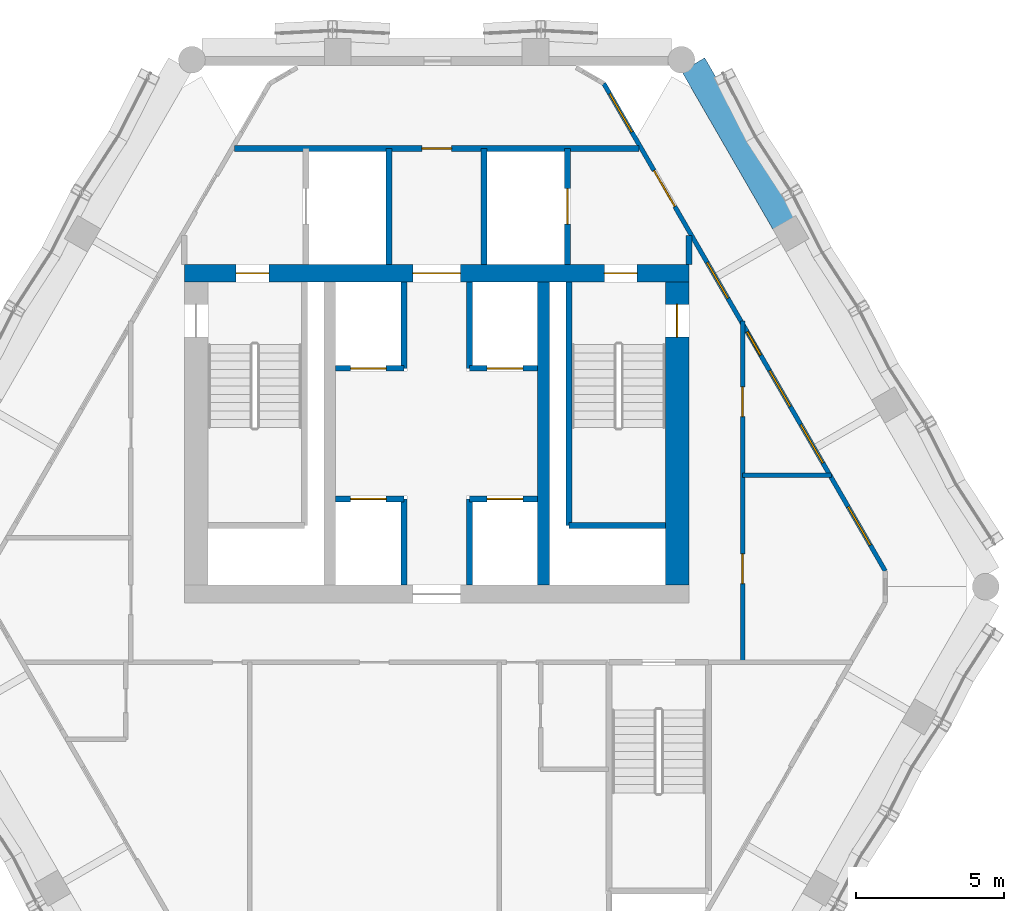
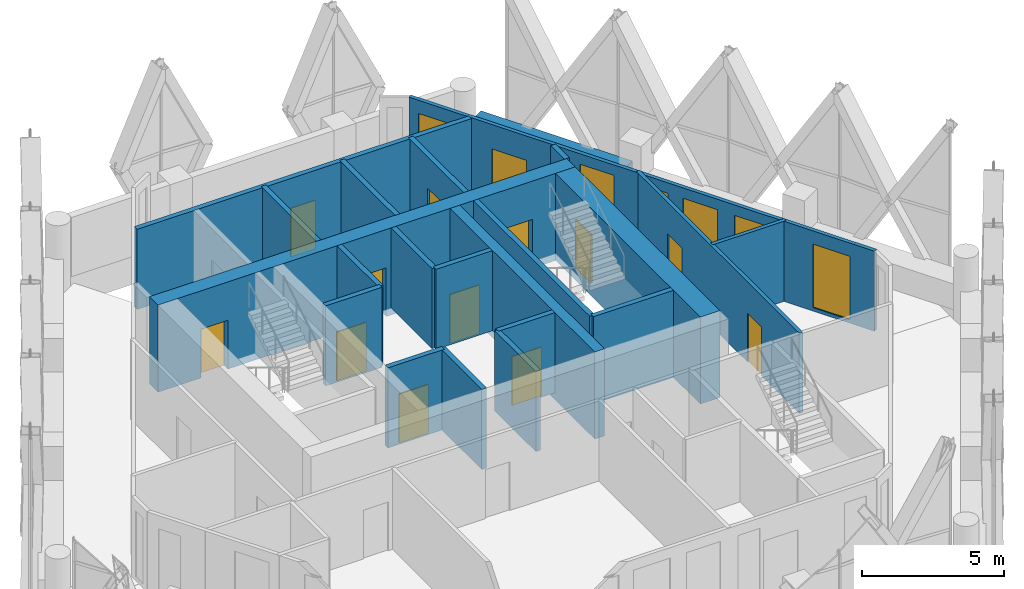
# One storey, part 20 of 27: 22 walls, 13 doors, 6 windows, 19 openings.
"""IFC4 building model written with IfcOpenShell, lengths in metres."""

from ifc_helpers import new_model, si_unit, direction, frame, frame_2d, origin, place, context, subcontext, project, spatial, rectangle, extrude, material, layer, layer_set, type_object, element, fill, save


model = new_model("IFC4")

# Units and contexts
model_context = context("Model", 3, precision=1e-05, world=origin(), true_north=direction((0.0, 1.0)))
body_context = subcontext(model_context, "Body", "Model", "MODEL_VIEW")
ifc_project = project(units=[si_unit("LENGTHUNIT", "METRE"), si_unit("AREAUNIT", "SQUARE_METRE"), si_unit("VOLUMEUNIT", "CUBIC_METRE"), si_unit("PLANEANGLEUNIT", "RADIAN"), si_unit("MASSUNIT", "GRAM", prefix="KILO")], contexts=[model_context])

# Site, building, storey
site_placement = place(None, origin())
site = spatial("IfcSite", under=ifc_project, at=site_placement, CompositionType="ELEMENT")
building_placement = place(site_placement, origin())
building = spatial("IfcBuilding", under=site, at=building_placement, Name="Ostrander Bayou Hotel Tower", CompositionType="ELEMENT")
storey_placement = place(building_placement, frame((0.0, 0.0, 267.5)))
storey = spatial("IfcBuildingStorey", under=building, at=storey_placement, Name="L66", CompositionType="ELEMENT", Elevation=267.5)

# Wall, openings, doors
ifc_material_1 = material(Name="Concrete f'c 60 MPa", Category="concrete")
ifc_layer_1 = layer(ifc_material_1, 0.60009765625)
ifc_layer_set_1 = layer_set([ifc_layer_1], Name="CW10 core wall 600 mm f'c 60 MPa")
wall_type_1 = type_object("IfcWallType", Name="CW10 core wall 600 mm f'c 60 MPa", PredefinedType="SHEAR", material=ifc_layer_set_1)
wall_1_placement = place(storey_placement, frame((-8.5, 9.39990234375, -0.300048828125), z_axis=(0.0, 0.0, 1.0), x_axis=(1.0, 0.0, 0.0)))
wall_1 = element("IfcWall", 1, at=wall_1_placement, inside=storey, type_object=wall_type_1, Name="CW10 L66 N", PredefinedType="SHEAR", context=body_context, shape_type="SweptSolid", body=[
    extrude(rectangle(XDim=17.0, YDim=0.60009765625, at=frame_2d((8.5, 0.0))), origin(), (0.0, 0.0, 1.0), 3.75),
])
opening_1_placement = place(wall_1_placement, frame((7.699951171875, 0.0, 0.0)))
opening_1 = element("IfcOpeningElement", 2, at=opening_1_placement, cuts=wall_1, Name="Opening T66-006", PredefinedType="OPENING", context=body_context, shape_type="SweptSolid", body=[
    extrude(rectangle(XDim=1.60009765625, YDim=2.10009765625, at=frame_2d((0.800048828125, 1.050048828125))), frame((0.0, 0.300048828125, 0.0), z_axis=(0.0, -1.0, 0.0), x_axis=(1.0, 0.0, 0.0)), (0.0, 0.0, 1.0), 0.60009765625),
])
opening_2_placement = place(wall_1_placement, frame((1.75, 0.0, 0.0)))
opening_2 = element("IfcOpeningElement", 3, at=opening_2_placement, cuts=wall_1, Name="Opening T66-007", PredefinedType="OPENING", context=body_context, shape_type="SweptSolid", body=[
    extrude(rectangle(XDim=1.10009765625, YDim=2.10009765625, at=frame_2d((0.550048828125, 1.050048828125))), frame((0.0, 0.300048828125, 0.0), z_axis=(0.0, -1.0, 0.0), x_axis=(1.0, 0.0, 0.0)), (0.0, 0.0, 1.0), 0.60009765625),
])
opening_3_placement = place(wall_1_placement, frame((14.14990234375, 0.0, 0.0)))
opening_3 = element("IfcOpeningElement", 4, at=opening_3_placement, cuts=wall_1, Name="Opening T66-009", PredefinedType="OPENING", context=body_context, shape_type="SweptSolid", body=[
    extrude(rectangle(XDim=1.10009765625, YDim=2.10009765625, at=frame_2d((0.550048828125, 1.050048828125))), frame((0.0, 0.300048828125, 0.0), z_axis=(0.0, -1.0, 0.0), x_axis=(1.0, 0.0, 0.0)), (0.0, 0.0, 1.0), 0.60009765625),
])
ifc_material_2 = material(Name="Timber door leaf", Category="wood")
door_type_1 = type_object("IfcDoorType", Name="D13 double door 1600 x 2100 mm, 1 hour", OperationType="SINGLE_SWING_LEFT", PredefinedType="DOOR", material=ifc_material_2)
door_1_placement = place(opening_1_placement, origin())
door_1 = element("IfcDoor", 5, at=door_1_placement, inside=storey, type_object=door_type_1, Name="dr:L66:006", OperationType="DOUBLE_DOOR_SINGLE_SWING", OverallHeight=2.10009765625, OverallWidth=1.60009765625, PredefinedType="DOOR", context=body_context, shape_type="SweptSolid", body=[
    extrude(rectangle(XDim=1.60009765625, YDim=2.10009765625, at=frame_2d((0.800048828125, 1.050048828125))), frame((0.0, 0.02490234375, 0.0), z_axis=(0.0, -1.0, 0.0), x_axis=(1.0, 0.0, 0.0)), (0.0, 0.0, 1.0), 0.050048828125),
])
fill(opening_1, door_1)
ifc_material_3 = material(Name="Timber door leaf", Category="wood")
door_type_2 = type_object("IfcDoorType", Name="D5 stair door 1100 x 2100 mm, 90 minute", OperationType="SINGLE_SWING_LEFT", PredefinedType="DOOR", material=ifc_material_3)
door_2_placement = place(opening_2_placement, origin())
door_2 = element("IfcDoor", 6, at=door_2_placement, inside=storey, type_object=door_type_2, Name="dr:L66:007", OperationType="SINGLE_SWING_LEFT", OverallHeight=2.10009765625, OverallWidth=1.10009765625, PredefinedType="DOOR", context=body_context, shape_type="SweptSolid", body=[
    extrude(rectangle(XDim=1.10009765625, YDim=2.10009765625, at=frame_2d((0.550048828125, 1.050048828125))), frame((0.0, 0.02490234375, 0.0), z_axis=(0.0, -1.0, 0.0), x_axis=(1.0, 0.0, 0.0)), (0.0, 0.0, 1.0), 0.050048828125),
])
fill(opening_2, door_2)
door_3_placement = place(opening_3_placement, origin())
door_3 = element("IfcDoor", 7, at=door_3_placement, inside=storey, type_object=door_type_2, Name="dr:L66:009", OperationType="SINGLE_SWING_RIGHT", OverallHeight=2.10009765625, OverallWidth=1.10009765625, PredefinedType="DOOR", context=body_context, shape_type="SweptSolid", body=[
    extrude(rectangle(XDim=1.10009765625, YDim=2.10009765625, at=frame_2d((0.550048828125, 1.050048828125))), frame((0.0, 0.02490234375, 0.0), z_axis=(0.0, -1.0, 0.0), x_axis=(1.0, 0.0, 0.0)), (0.0, 0.0, 1.0), 0.050048828125),
])
fill(opening_3, door_3)

# Wall, opening, door
ifc_material_4 = material(Name="Concrete f'c 60 MPa", Category="concrete")
ifc_layer_2 = layer(ifc_material_4, 0.800048828125)
ifc_layer_set_2 = layer_set([ifc_layer_2], Name="CW11 core spine wall 800 mm f'c 60 MPa")
wall_type_2 = type_object("IfcWallType", Name="CW11 core spine wall 800 mm f'c 60 MPa", PredefinedType="SHEAR", material=ifc_layer_set_2)
wall_2_placement = place(storey_placement, frame((8.10009765625, -1.10009765625, -0.300048828125), z_axis=(0.0, 0.0, 1.0), x_axis=(0.0, 1.0, 0.0)))
wall_2 = element("IfcWall", 8, at=wall_2_placement, inside=storey, type_object=wall_type_2, Name="CW11 L66 E", PredefinedType="SHEAR", context=body_context, shape_type="SweptSolid", body=[
    extrude(rectangle(XDim=10.2001953125, YDim=0.800048828125, at=frame_2d((5.10009765625, 0.0))), origin(), (0.0, 0.0, 1.0), 3.75),
])
opening_4_placement = place(wall_2_placement, frame((8.35009765625, 0.0, 0.0)))
opening_4 = element("IfcOpeningElement", 9, at=opening_4_placement, cuts=wall_2, Name="Opening T66-010", PredefinedType="OPENING", context=body_context, shape_type="SweptSolid", body=[
    extrude(rectangle(XDim=1.10009765625, YDim=2.10009765625, at=frame_2d((0.550048828125, 1.050048828125))), frame((0.0, 0.39990234375, 0.0), z_axis=(0.0, -1.0, 0.0), x_axis=(1.0, 0.0, 0.0)), (0.0, 0.0, 1.0), 0.800048828125),
])
door_4_placement = place(opening_4_placement, origin())
door_4 = element("IfcDoor", 10, at=door_4_placement, inside=storey, type_object=door_type_2, Name="dr:L66:010", OperationType="SINGLE_SWING_LEFT", OverallHeight=2.10009765625, OverallWidth=1.10009765625, PredefinedType="DOOR", context=body_context, shape_type="SweptSolid", body=[
    extrude(rectangle(XDim=1.10009765625, YDim=2.10009765625, at=frame_2d((0.550048828125, 1.050048828125))), frame((0.0, 0.02490234375, 0.0), z_axis=(0.0, -1.0, 0.0), x_axis=(1.0, 0.0, 0.0)), (0.0, 0.0, 1.0), 0.050048828125),
])
fill(opening_4, door_4)

# Wall
ifc_material_5 = material(Name="Concrete f'c 60 MPa", Category="concrete")
ifc_layer_3 = layer(ifc_material_5, 0.39990234375)
ifc_layer_set_3 = layer_set([ifc_layer_3], Name="CW12 core bank wall 400 mm f'c 60 MPa")
wall_type_3 = type_object("IfcWallType", Name="CW12 core bank wall 400 mm f'c 60 MPa", PredefinedType="SHEAR", material=ifc_layer_set_3)
wall_3_placement = place(storey_placement, frame((3.60009765625, -1.10009765625, -0.300048828125), z_axis=(0.0, 0.0, 1.0), x_axis=(0.0, 1.0, 0.0)))
element("IfcWall", 11, at=wall_3_placement, inside=storey, type_object=wall_type_3, Name="CW12 L66 CE", PredefinedType="SHEAR", context=body_context, shape_type="SweptSolid", body=[
    extrude(rectangle(XDim=10.2001953125, YDim=0.39990234375, at=frame_2d((5.10009765625, 0.0))), origin(), (0.0, 0.0, 1.0), 3.75),
])

# Wall, openings, door, windows
ifc_material_6 = material(Name="Aluminium framed insulated wall", Category="aluminium")
ifc_layer_4 = layer(ifc_material_6, 0.14990234375)
ifc_layer_set_4 = layer_set([ifc_layer_4], Name="GW1 glass-line wall 150 mm")
wall_type_4 = type_object("IfcWallType", Name="GW1 glass-line wall 150 mm", PredefinedType="SOLIDWALL", material=ifc_layer_set_4)
wall_4_placement = place(storey_placement, frame((15.10400390625, -0.6240234375, 0.0), z_axis=(0.0, 0.0, 1.0), x_axis=(-0.499998195608, 0.866026445548, 0.0)))
wall_4 = element("IfcWall", 12, at=wall_4_placement, inside=storey, type_object=wall_type_4, Name="GW1 L66 NE 1", PredefinedType="SOLIDWALL", context=body_context, shape_type="SweptSolid", body=[
    extrude(rectangle(XDim=18.9560546875, YDim=0.14990234375, at=frame_2d((9.47802734375, 0.0))), origin(), (0.0, 0.0, 1.0), 3.449951171875),
])
opening_5_placement = place(wall_4_placement, frame((4.1923828125, 0.0, 0.14990234375)))
opening_5 = element("IfcOpeningElement", 13, at=opening_5_placement, cuts=wall_4, Name="Opening W4", PredefinedType="OPENING", context=body_context, shape_type="SweptSolid", body=[
    extrude(rectangle(XDim=1.5, YDim=2.85009765625, at=frame_2d((0.75, 1.425048828125))), frame((0.0, 0.074951171875, 0.0), z_axis=(0.0, -1.0, 0.0), x_axis=(1.0, 0.0, 0.0)), (0.0, 0.0, 1.0), 0.14990234375),
])
opening_6_placement = place(wall_4_placement, frame((6.392333984375, 0.0, 0.14990234375)))
opening_6 = element("IfcOpeningElement", 14, at=opening_6_placement, cuts=wall_4, Name="Opening W14", PredefinedType="OPENING", context=body_context, shape_type="SweptSolid", body=[
    extrude(rectangle(XDim=1.39990234375, YDim=2.85009765625, at=frame_2d((0.699951171875, 1.425048828125))), frame((0.0, 0.074951171875, 0.0), z_axis=(0.0, -1.0, 0.0), x_axis=(1.0, 0.0, 0.0)), (0.0, 0.0, 1.0), 0.14990234375),
])
opening_7_placement = place(wall_4_placement, frame((8.392333984375, 0.0, 0.14990234375)))
opening_7 = element("IfcOpeningElement", 15, at=opening_7_placement, cuts=wall_4, Name="Opening W18", PredefinedType="OPENING", context=body_context, shape_type="SweptSolid", body=[
    extrude(rectangle(XDim=0.89990234375, YDim=2.85009765625, at=frame_2d((0.449951171875, 1.425048828125))), frame((0.0, 0.074951171875, 0.0), z_axis=(0.0, -1.0, 0.0), x_axis=(1.0, 0.0, 0.0)), (0.0, 0.0, 1.0), 0.14990234375),
])
opening_8_placement = place(wall_4_placement, frame((10.59228515625, 0.0, 0.14990234375)))
opening_8 = element("IfcOpeningElement", 16, at=opening_8_placement, cuts=wall_4, Name="Opening W14", PredefinedType="OPENING", context=body_context, shape_type="SweptSolid", body=[
    extrude(rectangle(XDim=1.39990234375, YDim=2.85009765625, at=frame_2d((0.699951171875, 1.425048828125))), frame((0.0, 0.074951171875, 0.0), z_axis=(0.0, -1.0, 0.0), x_axis=(1.0, 0.0, 0.0)), (0.0, 0.0, 1.0), 0.14990234375),
])
opening_9_placement = place(wall_4_placement, frame((14.16796875, 0.0, 0.0)))
opening_9 = element("IfcOpeningElement", 17, at=opening_9_placement, cuts=wall_4, Name="Opening T66-805", PredefinedType="OPENING", context=body_context, shape_type="SweptSolid", body=[
    extrude(rectangle(XDim=1.39990234375, YDim=2.39990234375, at=frame_2d((0.699951171875, 1.199951171875))), frame((0.0, 0.074951171875, 0.0), z_axis=(0.0, -1.0, 0.0), x_axis=(1.0, 0.0, 0.0)), (0.0, 0.0, 1.0), 0.14990234375),
])
opening_10_placement = place(wall_4_placement, frame((0.998291015625, 0.0, 0.14990234375)))
opening_10 = element("IfcOpeningElement", 18, at=opening_10_placement, cuts=wall_4, Name="Opening W4", PredefinedType="OPENING", context=body_context, shape_type="SweptSolid", body=[
    extrude(rectangle(XDim=1.5, YDim=2.72998046875, at=frame_2d((0.75, 1.364990234375))), frame((0.0, 0.074951171875, 0.0), z_axis=(0.0, -1.0, 0.0), x_axis=(1.0, 0.0, 0.0)), (0.0, 0.0, 1.0), 0.14990234375),
])
opening_11_placement = place(wall_4_placement, frame((17.06201171875, 0.0, 0.14990234375)))
opening_11 = element("IfcOpeningElement", 19, at=opening_11_placement, cuts=wall_4, Name="Opening W4", PredefinedType="OPENING", context=body_context, shape_type="SweptSolid", body=[
    extrude(rectangle(XDim=1.5, YDim=2.72998046875, at=frame_2d((0.75, 1.364990234375))), frame((0.0, 0.074951171875, 0.0), z_axis=(0.0, -1.0, 0.0), x_axis=(1.0, 0.0, 0.0)), (0.0, 0.0, 1.0), 0.14990234375),
])
ifc_material_7 = material(Name="Aluminium and clear glass", Category="aluminium")
door_type_3 = type_object("IfcDoorType", Name="SD4 sliding glass door 1400 mm, zone 4", OperationType="SLIDING_TO_LEFT", PredefinedType="DOOR", material=ifc_material_7)
door_5_placement = place(opening_9_placement, origin())
door_5 = element("IfcDoor", 20, at=door_5_placement, inside=storey, type_object=door_type_3, Name="SD4 L66 NE 4", OperationType="SLIDING_TO_RIGHT", OverallHeight=2.39990234375, OverallWidth=1.39990234375, PredefinedType="DOOR", context=body_context, shape_type="SweptSolid", body=[
    extrude(rectangle(XDim=1.39990234375, YDim=2.39990234375, at=frame_2d((0.699951171875, 1.199951171875))), frame((0.0, 0.02490234375, 0.0), z_axis=(0.0, -1.0, 0.0), x_axis=(1.0, 0.0, 0.0)), (0.0, 0.0, 1.0), 0.050048828125),
])
fill(opening_9, door_5)
ifc_material_8 = material(Name="Aluminium and clear glass", Category="aluminium")
window_type_1 = type_object("IfcWindowType", Name="W14 fixed window 1400 mm, bath bay, zone 4", PartitioningType="SINGLE_PANEL", PredefinedType="WINDOW", material=ifc_material_8)
window_1_placement = place(opening_6_placement, origin())
window_1 = element("IfcWindow", 21, at=window_1_placement, inside=storey, type_object=window_type_1, Name="W14 L66 NE 2", OverallHeight=2.85009765625, OverallWidth=1.39990234375, PartitioningType="SINGLE_PANEL", PredefinedType="WINDOW", context=body_context, shape_type="SweptSolid", body=[
    extrude(rectangle(XDim=1.39990234375, YDim=2.85009765625, at=frame_2d((0.699951171875, 1.425048828125))), frame((0.0, 0.030029296875, 0.0), z_axis=(0.0, -1.0, 0.0), x_axis=(1.0, 0.0, 0.0)), (0.0, 0.0, 1.0), 0.06005859375),
])
fill(opening_6, window_1)
window_2_placement = place(opening_8_placement, origin())
window_2 = element("IfcWindow", 22, at=window_2_placement, inside=storey, type_object=window_type_1, Name="W14 L66 NE 3", OverallHeight=2.85009765625, OverallWidth=1.39990234375, PartitioningType="SINGLE_PANEL", PredefinedType="WINDOW", context=body_context, shape_type="SweptSolid", body=[
    extrude(rectangle(XDim=1.39990234375, YDim=2.85009765625, at=frame_2d((0.699951171875, 1.425048828125))), frame((0.0, 0.030029296875, 0.0), z_axis=(0.0, -1.0, 0.0), x_axis=(1.0, 0.0, 0.0)), (0.0, 0.0, 1.0), 0.06005859375),
])
fill(opening_8, window_2)
ifc_material_9 = material(Name="Aluminium and clear glass", Category="aluminium")
window_type_2 = type_object("IfcWindowType", Name="W18 window 900 mm, zone 4", PartitioningType="SINGLE_PANEL", PredefinedType="WINDOW", material=ifc_material_9)
window_3_placement = place(opening_7_placement, origin())
window_3 = element("IfcWindow", 23, at=window_3_placement, inside=storey, type_object=window_type_2, Name="W18 L66 NE 3", OverallHeight=2.85009765625, OverallWidth=0.89990234375, PartitioningType="SINGLE_PANEL", PredefinedType="WINDOW", context=body_context, shape_type="SweptSolid", body=[
    extrude(rectangle(XDim=0.89990234375, YDim=2.85009765625, at=frame_2d((0.449951171875, 1.425048828125))), frame((0.0, 0.030029296875, 0.0), z_axis=(0.0, -1.0, 0.0), x_axis=(1.0, 0.0, 0.0)), (0.0, 0.0, 1.0), 0.06005859375),
])
fill(opening_7, window_3)
ifc_material_10 = material(Name="Aluminium and clear glass", Category="aluminium")
window_type_3 = type_object("IfcWindowType", Name="W4 fixed window 1500 mm, zone 4", PartitioningType="SINGLE_PANEL", PredefinedType="WINDOW", material=ifc_material_10)
window_4_placement = place(opening_5_placement, origin())
window_4 = element("IfcWindow", 24, at=window_4_placement, inside=storey, type_object=window_type_3, Name="W4 L66 NE 2", OverallHeight=2.85009765625, OverallWidth=1.5, PartitioningType="SINGLE_PANEL", PredefinedType="WINDOW", context=body_context, shape_type="SweptSolid", body=[
    extrude(rectangle(XDim=1.5, YDim=2.85009765625, at=frame_2d((0.75, 1.425048828125))), frame((0.0, 0.030029296875, 0.0), z_axis=(0.0, -1.0, 0.0), x_axis=(1.0, 0.0, 0.0)), (0.0, 0.0, 1.0), 0.06005859375),
])
fill(opening_5, window_4)
window_5_placement = place(opening_10_placement, origin())
window_5 = element("IfcWindow", 25, at=window_5_placement, inside=storey, type_object=window_type_3, Name="W4 L66 NE E11", OverallHeight=2.72998046875, OverallWidth=1.5, PartitioningType="SINGLE_PANEL", PredefinedType="WINDOW", context=body_context, shape_type="SweptSolid", body=[
    extrude(rectangle(XDim=1.5, YDim=2.72998046875, at=frame_2d((0.75, 1.364990234375))), frame((0.0, 0.030029296875, 0.0), z_axis=(0.0, -1.0, 0.0), x_axis=(1.0, 0.0, 0.0)), (0.0, 0.0, 1.0), 0.06005859375),
])
fill(opening_10, window_5)
window_6_placement = place(opening_11_placement, origin())
window_6 = element("IfcWindow", 26, at=window_6_placement, inside=storey, type_object=window_type_3, Name="W4 L66 NE E21", OverallHeight=2.72998046875, OverallWidth=1.5, PartitioningType="SINGLE_PANEL", PredefinedType="WINDOW", context=body_context, shape_type="SweptSolid", body=[
    extrude(rectangle(XDim=1.5, YDim=2.72998046875, at=frame_2d((0.75, 1.364990234375))), frame((0.0, 0.030029296875, 0.0), z_axis=(0.0, -1.0, 0.0), x_axis=(1.0, 0.0, 0.0)), (0.0, 0.0, 1.0), 0.06005859375),
])
fill(opening_11, window_6)

# Wall
ifc_material_11 = material(Name="Concrete f'c 40 MPa", Category="concrete")
ifc_layer_5 = layer(ifc_material_11, 0.89990234375)
ifc_layer_set_5 = layer_set([ifc_layer_5], Name="PA1 stone-faced parapet 900 mm")
wall_type_5 = type_object("IfcWallType", Name="PA1 stone-faced parapet 900 mm", PredefinedType="PARAPET", material=ifc_layer_set_5)
wall_5_placement = place(storey_placement, frame((11.71630859375, 11.09375, 0.0), z_axis=(0.0, 0.0, 1.0), x_axis=(-0.499984362083, 0.866034432152, 0.0)))
element("IfcWall", 27, at=wall_5_placement, inside=storey, type_object=wall_type_5, Name="PA1 L66 NE-3", PredefinedType="PARAPET", context=body_context, shape_type="SweptSolid", body=[
    extrude(rectangle(XDim=6.159423828125, YDim=0.89990234375, at=frame_2d((3.07958984375, 0.0))), origin(), (0.0, 0.0, 1.0), 1.10009765625),
])

# Wall, opening, door
ifc_material_12 = material(Name="Masonry block", Category="masonry")
ifc_layer_6 = layer(ifc_material_12, 0.199951171875)
ifc_layer_set_6 = layer_set([ifc_layer_6], Name="PT5 stair enclosure wall 200 mm masonry, 2 hour")
wall_type_6 = type_object("IfcWallType", Name="PT5 stair enclosure wall 200 mm masonry, 2 hour", PredefinedType="PARTITIONING", material=ifc_layer_set_6)
wall_6_placement = place(storey_placement, frame((-6.805419921875, 13.60009765625, 0.0), z_axis=(0.0, 0.0, 1.0), x_axis=(1.0, 0.0, 0.0)))
wall_6 = element("IfcWall", 28, at=wall_6_placement, inside=storey, type_object=wall_type_6, Name="cs:L66:018", PredefinedType="PARTITIONING", context=body_context, shape_type="SweptSolid", body=[
    extrude(rectangle(XDim=13.61083984375, YDim=0.199951171875, at=frame_2d((6.805419921875, 0.0))), origin(), (0.0, 0.0, 1.0), 3.449951171875),
])
opening_12_placement = place(wall_6_placement, frame((6.305419921875, 0.0, 0.0)))
opening_12 = element("IfcOpeningElement", 29, at=opening_12_placement, cuts=wall_6, Name="Opening T66-014", PredefinedType="OPENING", context=body_context, shape_type="SweptSolid", body=[
    extrude(rectangle(XDim=1.0, YDim=2.10009765625, at=frame_2d((0.5, 1.050048828125))), frame((0.0, 0.10009765625, 0.0), z_axis=(0.0, -1.0, 0.0), x_axis=(1.0, 0.0, 0.0)), (0.0, 0.0, 1.0), 0.199951171875),
])
ifc_material_13 = material(Name="Timber door leaf", Category="wood")
door_type_4 = type_object("IfcDoorType", Name="D9 service door 1000 x 2100 mm, 30 minute", OperationType="SINGLE_SWING_LEFT", PredefinedType="DOOR", material=ifc_material_13)
door_6_placement = place(opening_12_placement, origin())
door_6 = element("IfcDoor", 30, at=door_6_placement, inside=storey, type_object=door_type_4, Name="dr:L66:014", OperationType="SINGLE_SWING_LEFT", OverallHeight=2.10009765625, OverallWidth=1.0, PredefinedType="DOOR", context=body_context, shape_type="SweptSolid", body=[
    extrude(rectangle(XDim=1.0, YDim=2.10009765625, at=frame_2d((0.5, 1.050048828125))), frame((0.0, 0.02490234375, 0.0), z_axis=(0.0, -1.0, 0.0), x_axis=(1.0, 0.0, 0.0)), (0.0, 0.0, 1.0), 0.050048828125),
])
fill(opening_12, door_6)

# Wall
wall_7_placement = place(storey_placement, frame((8.5, 9.699951171875, 0.0), z_axis=(0.0, 0.0, 1.0), x_axis=(0.0, 1.0, 0.0)))
element("IfcWall", 31, at=wall_7_placement, inside=storey, type_object=wall_type_6, Name="cs:L66:020", PredefinedType="PARTITIONING", context=body_context, shape_type="SweptSolid", body=[
    extrude(rectangle(XDim=0.964599609375, YDim=0.199951171875, at=frame_2d((0.482421875, 0.0))), origin(), (0.0, 0.0, 1.0), 3.449951171875),
])

# Wall, opening, door
wall_8_placement = place(storey_placement, frame((4.39990234375, 9.699951171875, 0.0), z_axis=(0.0, 0.0, 1.0), x_axis=(0.0, 1.0, 0.0)))
wall_8 = element("IfcWall", 32, at=wall_8_placement, inside=storey, type_object=wall_type_6, Name="cs:L66:022", PredefinedType="PARTITIONING", context=body_context, shape_type="SweptSolid", body=[
    extrude(rectangle(XDim=3.900146484375, YDim=0.199951171875, at=frame_2d((1.9501953125, 0.0))), origin(), (0.0, 0.0, 1.0), 3.449951171875),
])
opening_13_placement = place(wall_8_placement, frame((1.35009765625, 0.0, 0.0)))
opening_13 = element("IfcOpeningElement", 33, at=opening_13_placement, cuts=wall_8, Name="Opening T66-013", PredefinedType="OPENING", context=body_context, shape_type="SweptSolid", body=[
    extrude(rectangle(XDim=1.199951171875, YDim=2.10009765625, at=frame_2d((0.60009765625, 1.050048828125))), frame((0.0, 0.10009765625, 0.0), z_axis=(0.0, -1.0, 0.0), x_axis=(1.0, 0.0, 0.0)), (0.0, 0.0, 1.0), 0.199951171875),
])
ifc_material_14 = material(Name="Stainless steel sliding door", Category="steel")
door_type_5 = type_object("IfcDoorType", Name="LD1 lift landing door 1200 x 2100 mm", OperationType="SINGLE_SWING_LEFT", PredefinedType="DOOR", material=ifc_material_14)
door_7_placement = place(opening_13_placement, origin())
door_7 = element("IfcDoor", 34, at=door_7_placement, inside=storey, type_object=door_type_5, Name="dr:L66:013", OperationType="SLIDING_TO_LEFT", OverallHeight=2.10009765625, OverallWidth=1.199951171875, PredefinedType="DOOR", context=body_context, shape_type="SweptSolid", body=[
    extrude(rectangle(XDim=1.199951171875, YDim=2.10009765625, at=frame_2d((0.60009765625, 1.050048828125))), frame((0.0, 0.02490234375, 0.0), z_axis=(0.0, -1.0, 0.0), x_axis=(1.0, 0.0, 0.0)), (0.0, 0.0, 1.0), 0.050048828125),
])
fill(opening_13, door_7)

ifc_material_15 = material(Name="Masonry block", Category="masonry")
ifc_layer_7 = layer(ifc_material_15, 0.199951171875)
ifc_layer_set_7 = layer_set([ifc_layer_7], Name="PT6 lift shaft wall 200 mm masonry, 2 hour")
wall_type_7 = type_object("IfcWallType", Name="PT6 lift shaft wall 200 mm masonry, 2 hour", PredefinedType="PARTITIONING", material=ifc_layer_set_7)
wall_9_placement = place(storey_placement, frame((-3.39990234375, 1.800048828125, 0.0), z_axis=(0.0, 0.0, 1.0), x_axis=(1.0, 0.0, 0.0)))
wall_9 = element("IfcWall", 35, at=wall_9_placement, inside=storey, type_object=wall_type_7, Name="cs:L66:001", PredefinedType="PARTITIONING", context=body_context, shape_type="SweptSolid", body=[
    extrude(rectangle(XDim=2.2998046875, YDim=0.199951171875, at=frame_2d((1.14990234375, 0.0))), origin(), (0.0, 0.0, 1.0), 3.449951171875),
])
opening_14_placement = place(wall_9_placement, frame((0.5, 0.0, 0.0)))
opening_14 = element("IfcOpeningElement", 36, at=opening_14_placement, cuts=wall_9, Name="Opening T66-001", PredefinedType="OPENING", context=body_context, shape_type="SweptSolid", body=[
    extrude(rectangle(XDim=1.199951171875, YDim=2.10009765625, at=frame_2d((0.60009765625, 1.050048828125))), frame((0.0, 0.10009765625, 0.0), z_axis=(0.0, -1.0, 0.0), x_axis=(1.0, 0.0, 0.0)), (0.0, 0.0, 1.0), 0.199951171875),
])
door_8_placement = place(opening_14_placement, origin())
door_8 = element("IfcDoor", 37, at=door_8_placement, inside=storey, type_object=door_type_5, Name="dr:L66:001", OperationType="SLIDING_TO_LEFT", OverallHeight=2.10009765625, OverallWidth=1.199951171875, PredefinedType="DOOR", context=body_context, shape_type="SweptSolid", body=[
    extrude(rectangle(XDim=1.199951171875, YDim=2.10009765625, at=frame_2d((0.60009765625, 1.050048828125))), frame((0.0, 0.02490234375, 0.0), z_axis=(0.0, -1.0, 0.0), x_axis=(1.0, 0.0, 0.0)), (0.0, 0.0, 1.0), 0.050048828125),
])
fill(opening_14, door_8)

wall_10_placement = place(storey_placement, frame((-3.39990234375, 6.199951171875, 0.0), z_axis=(0.0, 0.0, 1.0), x_axis=(1.0, 0.0, 0.0)))
wall_10 = element("IfcWall", 38, at=wall_10_placement, inside=storey, type_object=wall_type_7, Name="cs:L66:002", PredefinedType="PARTITIONING", context=body_context, shape_type="SweptSolid", body=[
    extrude(rectangle(XDim=2.2998046875, YDim=0.199951171875, at=frame_2d((1.14990234375, 0.0))), origin(), (0.0, 0.0, 1.0), 3.449951171875),
])
opening_15_placement = place(wall_10_placement, frame((0.5, 0.0, 0.0)))
opening_15 = element("IfcOpeningElement", 39, at=opening_15_placement, cuts=wall_10, Name="Opening T66-003", PredefinedType="OPENING", context=body_context, shape_type="SweptSolid", body=[
    extrude(rectangle(XDim=1.199951171875, YDim=2.10009765625, at=frame_2d((0.60009765625, 1.050048828125))), frame((0.0, 0.10009765625, 0.0), z_axis=(0.0, -1.0, 0.0), x_axis=(1.0, 0.0, 0.0)), (0.0, 0.0, 1.0), 0.199951171875),
])
door_9_placement = place(opening_15_placement, origin())
door_9 = element("IfcDoor", 40, at=door_9_placement, inside=storey, type_object=door_type_5, Name="dr:L66:003", OperationType="SLIDING_TO_LEFT", OverallHeight=2.10009765625, OverallWidth=1.199951171875, PredefinedType="DOOR", context=body_context, shape_type="SweptSolid", body=[
    extrude(rectangle(XDim=1.199951171875, YDim=2.10009765625, at=frame_2d((0.60009765625, 1.050048828125))), frame((0.0, 0.02490234375, 0.0), z_axis=(0.0, -1.0, 0.0), x_axis=(1.0, 0.0, 0.0)), (0.0, 0.0, 1.0), 0.050048828125),
])
fill(opening_15, door_9)

wall_11_placement = place(storey_placement, frame((1.10009765625, 1.800048828125, 0.0), z_axis=(0.0, 0.0, 1.0), x_axis=(1.0, 0.0, 0.0)))
wall_11 = element("IfcWall", 41, at=wall_11_placement, inside=storey, type_object=wall_type_7, Name="cs:L66:003", PredefinedType="PARTITIONING", context=body_context, shape_type="SweptSolid", body=[
    extrude(rectangle(XDim=2.2998046875, YDim=0.199951171875, at=frame_2d((1.14990234375, 0.0))), origin(), (0.0, 0.0, 1.0), 3.449951171875),
])
opening_16_placement = place(wall_11_placement, frame((0.60009765625, 0.0, 0.0)))
opening_16 = element("IfcOpeningElement", 42, at=opening_16_placement, cuts=wall_11, Name="Opening T66-002", PredefinedType="OPENING", context=body_context, shape_type="SweptSolid", body=[
    extrude(rectangle(XDim=1.199951171875, YDim=2.10009765625, at=frame_2d((0.60009765625, 1.050048828125))), frame((0.0, 0.10009765625, 0.0), z_axis=(0.0, -1.0, 0.0), x_axis=(1.0, 0.0, 0.0)), (0.0, 0.0, 1.0), 0.199951171875),
])
door_10_placement = place(opening_16_placement, origin())
door_10 = element("IfcDoor", 43, at=door_10_placement, inside=storey, type_object=door_type_5, Name="dr:L66:002", OperationType="SLIDING_TO_LEFT", OverallHeight=2.10009765625, OverallWidth=1.199951171875, PredefinedType="DOOR", context=body_context, shape_type="SweptSolid", body=[
    extrude(rectangle(XDim=1.199951171875, YDim=2.10009765625, at=frame_2d((0.60009765625, 1.050048828125))), frame((0.0, 0.02490234375, 0.0), z_axis=(0.0, -1.0, 0.0), x_axis=(1.0, 0.0, 0.0)), (0.0, 0.0, 1.0), 0.050048828125),
])
fill(opening_16, door_10)

wall_12_placement = place(storey_placement, frame((1.10009765625, 6.199951171875, 0.0), z_axis=(0.0, 0.0, 1.0), x_axis=(1.0, 0.0, 0.0)))
wall_12 = element("IfcWall", 44, at=wall_12_placement, inside=storey, type_object=wall_type_7, Name="cs:L66:004", PredefinedType="PARTITIONING", context=body_context, shape_type="SweptSolid", body=[
    extrude(rectangle(XDim=2.2998046875, YDim=0.199951171875, at=frame_2d((1.14990234375, 0.0))), origin(), (0.0, 0.0, 1.0), 3.449951171875),
])
opening_17_placement = place(wall_12_placement, frame((0.60009765625, 0.0, 0.0)))
opening_17 = element("IfcOpeningElement", 45, at=opening_17_placement, cuts=wall_12, Name="Opening T66-004", PredefinedType="OPENING", context=body_context, shape_type="SweptSolid", body=[
    extrude(rectangle(XDim=1.199951171875, YDim=2.10009765625, at=frame_2d((0.60009765625, 1.050048828125))), frame((0.0, 0.10009765625, 0.0), z_axis=(0.0, -1.0, 0.0), x_axis=(1.0, 0.0, 0.0)), (0.0, 0.0, 1.0), 0.199951171875),
])
door_11_placement = place(opening_17_placement, origin())
door_11 = element("IfcDoor", 46, at=door_11_placement, inside=storey, type_object=door_type_5, Name="dr:L66:004", OperationType="SLIDING_TO_LEFT", OverallHeight=2.10009765625, OverallWidth=1.199951171875, PredefinedType="DOOR", context=body_context, shape_type="SweptSolid", body=[
    extrude(rectangle(XDim=1.199951171875, YDim=2.10009765625, at=frame_2d((0.60009765625, 1.050048828125))), frame((0.0, 0.02490234375, 0.0), z_axis=(0.0, -1.0, 0.0), x_axis=(1.0, 0.0, 0.0)), (0.0, 0.0, 1.0), 0.050048828125),
])
fill(opening_17, door_11)

# Walls
for number, where, z_axis, x_axis, name in (
    (47, (-1.10009765625, -1.10009765625, 0.0), (0.0, 0.0, 1.0), (0.0, 1.0, 0.0), "cs:L66:005"),
    (48, (1.10009765625, -1.10009765625, 0.0), (0.0, 0.0, 1.0), (0.0, 1.0, 0.0), "cs:L66:006"),
    (49, (-1.10009765625, 6.199951171875, 0.0), (0.0, 0.0, 1.0), (0.0, 1.0, 0.0), "cs:L66:007"),
    (50, (1.10009765625, 6.199951171875, 0.0), (0.0, 0.0, 1.0), (0.0, 1.0, 0.0), "cs:L66:008"),
):
    element("IfcWall", number, at=place(storey_placement, frame(where, z_axis=z_axis, x_axis=x_axis)), inside=storey, type_object=wall_type_7, Name=name, PredefinedType="PARTITIONING", context=body_context, shape_type="SweptSolid", body=[
        extrude(rectangle(XDim=2.900146484375, YDim=0.199951171875, at=frame_2d((1.4501953125, 0.0))), origin(), (0.0, 0.0, 1.0), 3.449951171875),
    ])
for number, where, z_axis, x_axis, name in (
    (51, (-1.60009765625, 9.699951171875, 0.0), (0.0, 0.0, 1.0), (0.0, 1.0, 0.0), "cs:L66:023"),
    (52, (1.60009765625, 9.699951171875, 0.0), (0.0, 0.0, 1.0), (0.0, 1.0, 0.0), "cs:L66:024"),
):
    element("IfcWall", number, at=place(storey_placement, frame(where, z_axis=z_axis, x_axis=x_axis)), inside=storey, type_object=wall_type_7, Name=name, PredefinedType="PARTITIONING", context=body_context, shape_type="SweptSolid", body=[
        extrude(rectangle(XDim=3.900146484375, YDim=0.199951171875, at=frame_2d((1.9501953125, 0.0))), origin(), (0.0, 0.0, 1.0), 3.449951171875),
    ])
ifc_material_16 = material(Name="Gypsum board partition", Category="finish")
ifc_layer_8 = layer(ifc_material_16, 0.14990234375)
ifc_layer_set_8 = layer_set([ifc_layer_8], Name="PT8 service band wall 150 mm, 1 hour")
wall_type_8 = type_object("IfcWallType", Name="PT8 service band wall 150 mm, 1 hour", PredefinedType="PARTITIONING", material=ifc_layer_set_8)
wall_13_placement = place(storey_placement, frame((10.300048828125, 2.60009765625, 0.0), z_axis=(0.0, 0.0, 1.0), x_axis=(1.0, 0.0, 0.0)))
element("IfcWall", 53, at=wall_13_placement, inside=storey, type_object=wall_type_8, Name="gw:L66:006", PredefinedType="PARTITIONING", context=body_context, shape_type="SweptSolid", body=[
    extrude(rectangle(XDim=2.994873046875, YDim=0.14990234375, at=frame_2d((1.49755859375, 0.0))), origin(), (0.0, 0.0, 1.0), 3.449951171875),
])

# Wall, openings, doors
wall_14_placement = place(storey_placement, frame((10.300048828125, -3.699951171875, 0.0), z_axis=(0.0, 0.0, 1.0), x_axis=(0.0, 1.0, 0.0)))
wall_14 = element("IfcWall", 54, at=wall_14_placement, inside=storey, type_object=wall_type_8, Name="gw:L66:007", PredefinedType="PARTITIONING", context=body_context, shape_type="SweptSolid", body=[
    extrude(rectangle(XDim=11.487060546875, YDim=0.14990234375, at=frame_2d((5.74365234375, 0.0))), origin(), (0.0, 0.0, 1.0), 3.449951171875),
])
opening_18_placement = place(wall_14_placement, frame((2.64990234375, 0.0, 0.0)))
opening_18 = element("IfcOpeningElement", 55, at=opening_18_placement, cuts=wall_14, Name="Opening T66-407", PredefinedType="OPENING", context=body_context, shape_type="SweptSolid", body=[
    extrude(rectangle(XDim=1.0, YDim=2.10009765625, at=frame_2d((0.5, 1.050048828125))), frame((0.0, 0.074951171875, 0.0), z_axis=(0.0, -1.0, 0.0), x_axis=(1.0, 0.0, 0.0)), (0.0, 0.0, 1.0), 0.14990234375),
])
opening_19_placement = place(wall_14_placement, frame((8.27294921875, 0.0, 0.0)))
opening_19 = element("IfcOpeningElement", 56, at=opening_19_placement, cuts=wall_14, Name="Opening T66-408", PredefinedType="OPENING", context=body_context, shape_type="SweptSolid", body=[
    extrude(rectangle(XDim=1.0, YDim=2.10009765625, at=frame_2d((0.5, 1.050048828125))), frame((0.0, 0.074951171875, 0.0), z_axis=(0.0, -1.0, 0.0), x_axis=(1.0, 0.0, 0.0)), (0.0, 0.0, 1.0), 0.14990234375),
])
ifc_material_17 = material(Name="Timber door leaf", Category="wood")
door_type_6 = type_object("IfcDoorType", Name="D15 room door 1000 x 2100 mm", OperationType="SINGLE_SWING_LEFT", PredefinedType="DOOR", material=ifc_material_17)
door_12_placement = place(opening_18_placement, origin())
door_12 = element("IfcDoor", 57, at=door_12_placement, inside=storey, type_object=door_type_6, Name="dr:L66:407", OperationType="SINGLE_SWING_LEFT", OverallHeight=2.10009765625, OverallWidth=1.0, PredefinedType="DOOR", context=body_context, shape_type="SweptSolid", body=[
    extrude(rectangle(XDim=1.0, YDim=2.10009765625, at=frame_2d((0.5, 1.050048828125))), frame((0.0, 0.02490234375, 0.0), z_axis=(0.0, -1.0, 0.0), x_axis=(1.0, 0.0, 0.0)), (0.0, 0.0, 1.0), 0.050048828125),
])
fill(opening_18, door_12)
door_13_placement = place(opening_19_placement, origin())
door_13 = element("IfcDoor", 58, at=door_13_placement, inside=storey, type_object=door_type_4, Name="dr:L66:408", OperationType="SINGLE_SWING_LEFT", OverallHeight=2.10009765625, OverallWidth=1.0, PredefinedType="DOOR", context=body_context, shape_type="SweptSolid", body=[
    extrude(rectangle(XDim=1.0, YDim=2.10009765625, at=frame_2d((0.5, 1.050048828125))), frame((0.0, 0.02490234375, 0.0), z_axis=(0.0, -1.0, 0.0), x_axis=(1.0, 0.0, 0.0)), (0.0, 0.0, 1.0), 0.050048828125),
])
fill(opening_19, door_13)

# Walls
ifc_material_18 = material(Name="Concrete f'c 45 MPa", Category="concrete")
ifc_layer_9 = layer(ifc_material_18, 0.199951171875)
ifc_layer_set_9 = layer_set([ifc_layer_9], Name="SW5 stair enclosure wall 200 mm f'c 45 MPa")
wall_type_9 = type_object("IfcWallType", Name="SW5 stair enclosure wall 200 mm f'c 45 MPa", PredefinedType="SOLIDWALL", material=ifc_layer_set_9)
wall_15_placement = place(storey_placement, frame((4.449951171875, 0.89990234375, -0.300048828125), z_axis=(0.0, 0.0, 1.0), x_axis=(0.0, 1.0, 0.0)))
element("IfcWall", 59, at=wall_15_placement, inside=storey, type_object=wall_type_9, Name="cs:L66:011", PredefinedType="SOLIDWALL", context=body_context, shape_type="SweptSolid", body=[
    extrude(rectangle(XDim=8.2001953125, YDim=0.199951171875, at=frame_2d((4.10009765625, 0.0))), origin(), (0.0, 0.0, 1.0), 3.75),
])
wall_16_placement = place(storey_placement, frame((4.449951171875, 0.89990234375, -0.300048828125), z_axis=(0.0, 0.0, 1.0), x_axis=(1.0, 0.0, 0.0)))
element("IfcWall", 60, at=wall_16_placement, inside=storey, type_object=wall_type_9, Name="cs:L66:012", PredefinedType="SOLIDWALL", context=body_context, shape_type="SweptSolid", body=[
    extrude(rectangle(XDim=3.25, YDim=0.199951171875, at=frame_2d((1.625, 0.0))), origin(), (0.0, 0.0, 1.0), 3.75),
])

save(model, "model.ifc")
